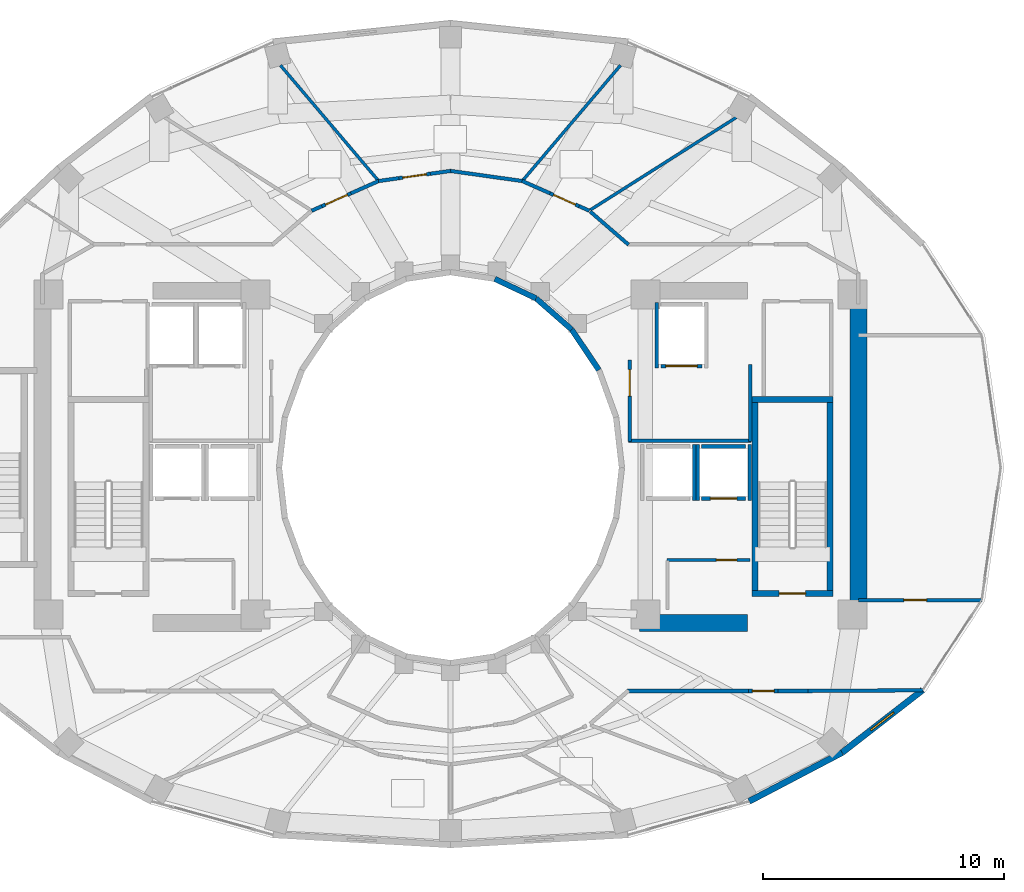
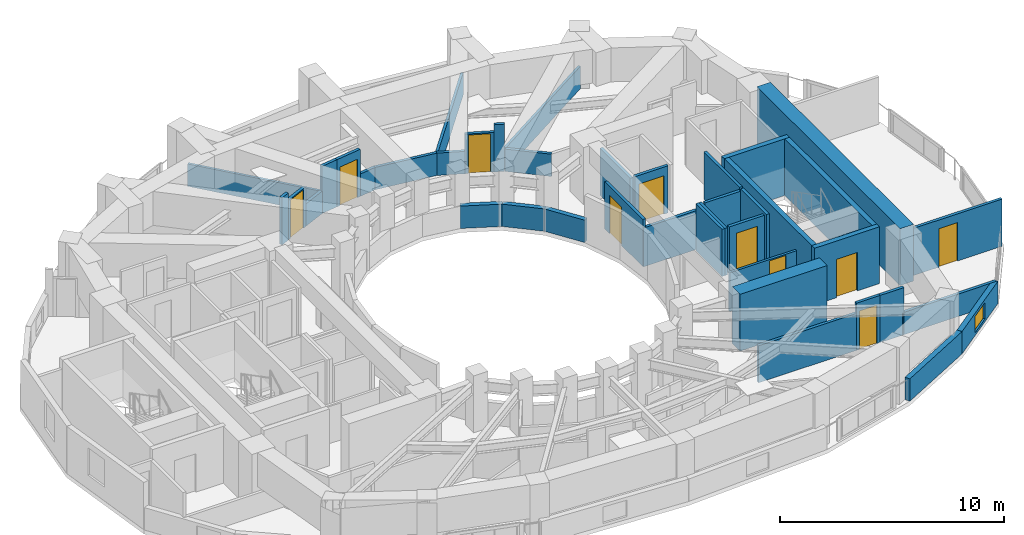
# One storey, part 16 of 20: 41 walls, 10 doors, 1 window, 11 openings.
"""IFC4 building model written with IfcOpenShell, lengths in metres."""

from ifc_helpers import new_model, si_unit, direction, frame, frame_2d, origin, place, context, subcontext, project, spatial, rectangle, extrude, material, layer, layer_set, type_object, element, fill, save


model = new_model("IFC4")

# Units and contexts
model_context = context("Model", 3, precision=1e-05, world=origin(), true_north=direction((0.0, 1.0)))
body_context = subcontext(model_context, "Body", "Model", "MODEL_VIEW")
ifc_project = project(units=[si_unit("LENGTHUNIT", "METRE"), si_unit("AREAUNIT", "SQUARE_METRE"), si_unit("VOLUMEUNIT", "CUBIC_METRE"), si_unit("PLANEANGLEUNIT", "RADIAN"), si_unit("MASSUNIT", "GRAM", prefix="KILO")], contexts=[model_context])

# Site, building, storey
site_placement = place(None, origin())
site = spatial("IfcSite", under=ifc_project, at=site_placement, CompositionType="ELEMENT")
building_placement = place(site_placement, origin())
building = spatial("IfcBuilding", under=site, at=building_placement, Name="Solvane Sanctuary Tower", CompositionType="ELEMENT")
storey_placement = place(building_placement, frame((0.0, 0.0, 159.10009765625)))
storey = spatial("IfcBuildingStorey", under=building, at=storey_placement, Name="L48", CompositionType="ELEMENT", Elevation=159.10009765625)

# Walls
ifc_material_1 = material(Name="Concrete C60/75", Category="concrete")
ifc_layer_1 = layer(ifc_material_1, 0.699951171875, Name="Concrete C60/75")
ifc_layer_set_1 = layer_set([ifc_layer_1], Name="Concrete C60/75")
wall_type_1 = type_object("IfcWallType", Name="Wall W-CORE-700", PredefinedType="SHEAR", material=ifc_layer_set_1)
wall_1_placement = place(storey_placement, frame((48.949951171875, 17.050048828125, 0.0), z_axis=(0.0, 0.0, 1.0), x_axis=(0.0, 1.0, 0.0)))
element("IfcWall", 1, at=wall_1_placement, inside=storey, type_object=wall_type_1, Name="L48 Core Shear Wall EC-E", PredefinedType="SHEAR", context=body_context, shape_type="SweptSolid", body=[
    extrude(rectangle(XDim=12.800048828125, YDim=0.699951171875, at=frame_2d((6.39990234375, 0.0))), origin(), (0.0, 0.0, 1.0), 3.099853515625),
])
wall_2_placement = place(storey_placement, frame((39.85009765625, 16.550048828125, 0.0), z_axis=(0.0, 0.0, 1.0), x_axis=(1.0, 0.0, 0.0)))
element("IfcWall", 2, at=wall_2_placement, inside=storey, type_object=wall_type_1, Name="L48 Core Shear Wall EC-S", PredefinedType="SHEAR", context=body_context, shape_type="SweptSolid", body=[
    extrude(rectangle(XDim=4.5, YDim=0.699951171875, at=frame_2d((2.25, 0.0))), origin(), (0.0, 0.0, 1.0), 3.099853515625),
])
ifc_material_2 = material(Name="Acoustic Gypsum Partition Board")
ifc_layer_2 = layer(ifc_material_2, 0.14990234375, Name="Acoustic Gypsum Partition Board")
ifc_layer_set_2 = layer_set([ifc_layer_2], Name="Acoustic Gypsum Partition Board")
wall_type_2 = type_object("IfcWallType", Name="Wall W-CORR-150", PredefinedType="PARTITIONING", material=ifc_layer_set_2)
wall_3_placement = place(storey_placement, frame((39.39990234375, 24.1201171875, 0.0), z_axis=(0.0, 0.0, 1.0), x_axis=(1.0, 0.0, 0.0)))
element("IfcWall", 3, at=wall_3_placement, inside=storey, type_object=wall_type_2, Name="L48 East Firefighting Lobby South Wall", PredefinedType="PARTITIONING", context=body_context, shape_type="SweptSolid", body=[
    extrude(rectangle(XDim=5.080078125, YDim=0.14990234375, at=frame_2d((2.5400390625, 0.0))), origin(), (0.0, 0.0, 1.0), 2.119873046875),
])
wall_4_placement = place(storey_placement, frame((44.449951171875, 24.080078125, 0.0), z_axis=(0.0, 0.0, 1.0), x_axis=(0.0, 1.0, 0.0)))
element("IfcWall", 4, at=wall_4_placement, inside=storey, type_object=wall_type_2, Name="L48 East Firefighting Lobby East Wall", PredefinedType="PARTITIONING", context=body_context, shape_type="SweptSolid", body=[
    extrude(rectangle(XDim=3.199951171875, YDim=0.14990234375, at=frame_2d((1.60009765625, 0.0))), origin(), (0.0, 0.0, 1.0), 2.574951171875),
])

# Wall, opening, door
wall_5_placement = place(storey_placement, frame((39.449951171875, 24.080078125, 0.0), z_axis=(0.0, 0.0, 1.0), x_axis=(0.0, 1.0, 0.0)))
wall_5 = element("IfcWall", 5, at=wall_5_placement, inside=storey, type_object=wall_type_2, Name="L48 East Firefighting Lobby West Wall", PredefinedType="PARTITIONING", context=body_context, shape_type="SweptSolid", body=[
    extrude(rectangle(XDim=3.39990234375, YDim=0.14990234375, at=frame_2d((1.699951171875, 0.0))), origin(), (0.0, 0.0, 1.0), 2.574951171875),
])
opening_1_placement = place(wall_5_placement, frame((1.893798828125, 0.0, 0.0)))
opening_1 = element("IfcOpeningElement", 6, at=opening_1_placement, cuts=wall_5, Name="Opening D-L48-05", PredefinedType="OPENING", context=body_context, shape_type="SweptSolid", body=[
    extrude(rectangle(XDim=1.10009765625, YDim=2.10009765625, at=frame_2d((0.550048828125, 1.050048828125))), frame((0.0, 0.0849609375, 0.0), z_axis=(0.0, -1.0, 0.0), x_axis=(1.0, 0.0, 0.0)), (0.0, 0.0, 1.0), 0.169921875),
])
ifc_material_3 = material(Name="Architectural Stainless Steel 316", Category="steel")
door_type_1 = type_object("IfcDoorType", Name="Door D-FFL", OperationType="NOTDEFINED", PredefinedType="DOOR", material=ifc_material_3)
door_1_placement = place(opening_1_placement, origin())
door_1 = element("IfcDoor", 7, at=door_1_placement, inside=storey, type_object=door_type_1, Name="L48 East Firefighting Lobby Fire Door", OperationType="SINGLE_SWING_RIGHT", OverallHeight=2.10009765625, OverallWidth=1.10009765625, PredefinedType="DOOR", context=body_context, shape_type="SweptSolid", body=[
    extrude(rectangle(XDim=1.10009765625, YDim=2.10009765625, at=frame_2d((0.550048828125, 1.050048828125))), frame((0.0, 0.02490234375, 0.0), z_axis=(0.0, -1.0, 0.0), x_axis=(1.0, 0.0, 0.0)), (0.0, 0.0, 1.0), 0.050048828125),
])
fill(opening_1, door_1)

wall_6_placement = place(storey_placement, frame((48.949951171875, 17.4970703125, 0.0), z_axis=(0.0, 0.0, 1.0), x_axis=(1.0, 0.0, 0.0)))
wall_6 = element("IfcWall", 8, at=wall_6_placement, inside=storey, type_object=wall_type_2, Name="L48 East Shoulder South Wall", PredefinedType="PARTITIONING", context=body_context, shape_type="SweptSolid", body=[
    extrude(rectangle(XDim=5.14013671875, YDim=0.14990234375, at=frame_2d((2.570068359375, 0.0))), origin(), (0.0, 0.0, 1.0), 2.574951171875),
])
opening_2_placement = place(wall_6_placement, frame((1.888671875, 0.0, 0.0)))
opening_2 = element("IfcOpeningElement", 9, at=opening_2_placement, cuts=wall_6, Name="Opening D-L48-10", PredefinedType="OPENING", context=body_context, shape_type="SweptSolid", body=[
    extrude(rectangle(XDim=0.949951171875, YDim=2.10009765625, at=frame_2d((0.47509765625, 1.050048828125))), frame((0.0, 0.0849609375, 0.0), z_axis=(0.0, -1.0, 0.0), x_axis=(1.0, 0.0, 0.0)), (0.0, 0.0, 1.0), 0.169921875),
])
ifc_material_4 = material(Name="Engineered Tropical Hardwood", Category="wood")
door_type_2 = type_object("IfcDoorType", Name="Door D-ROOM-950", OperationType="NOTDEFINED", PredefinedType="DOOR", material=ifc_material_4)
door_2_placement = place(opening_2_placement, origin())
door_2 = element("IfcDoor", 10, at=door_2_placement, inside=storey, type_object=door_type_2, Name="L48 East Shoulder South Door", OperationType="SINGLE_SWING_LEFT", OverallHeight=2.10009765625, OverallWidth=0.949951171875, PredefinedType="DOOR", context=body_context, shape_type="SweptSolid", body=[
    extrude(rectangle(XDim=0.949951171875, YDim=2.10009765625, at=frame_2d((0.47509765625, 1.050048828125))), frame((0.0, 0.02490234375, 0.0), z_axis=(0.0, -1.0, 0.0), x_axis=(1.0, 0.0, 0.0)), (0.0, 0.0, 1.0), 0.050048828125),
])
fill(opening_2, door_2)

# Walls
wall_7_placement = place(storey_placement, frame((37.806640625, 33.64208984375, 0.0), z_axis=(0.0, 0.0, 1.0), x_axis=(0.756055312247, -0.654507727092, 0.0)))
element("IfcWall", 11, at=wall_7_placement, inside=storey, type_object=wall_type_2, Name="L48 NE Corner Throat Wall", PredefinedType="PARTITIONING", context=body_context, shape_type="SweptSolid", body=[
    extrude(rectangle(XDim=2.11083984375, YDim=0.14990234375, at=frame_2d((1.055419921875, 0.0))), origin(), (0.0, 0.0, 1.0), 1.219970703125),
])
wall_8_placement = place(storey_placement, frame((39.330078125, 13.719970703125, 0.0), z_axis=(0.0, 0.0, 1.0), x_axis=(1.0, 0.0, 0.0)))
element("IfcWall", 12, at=wall_8_placement, inside=storey, type_object=wall_type_2, Name="L48 SE Corner Corridor Wall", PredefinedType="PARTITIONING", context=body_context, shape_type="SweptSolid", body=[
    extrude(rectangle(XDim=5.059814453125, YDim=0.14990234375, at=frame_2d((2.52978515625, 0.0))), origin(), (0.0, 0.0, 1.0), 2.018798828125),
])

# Wall, opening, door
wall_9_placement = place(storey_placement, frame((44.389892578125, 13.719970703125, 0.0), z_axis=(0.0, 0.0, 1.0), x_axis=(1.0, 0.0, 0.0)))
wall_9 = element("IfcWall", 13, at=wall_9_placement, inside=storey, type_object=wall_type_2, Name="L48 SE Corner Corridor Wall", PredefinedType="PARTITIONING", context=body_context, shape_type="SweptSolid", body=[
    extrude(rectangle(XDim=1.22021484375, YDim=0.14990234375, at=frame_2d((0.610107421875, 0.0))), origin(), (0.0, 0.0, 1.0), 2.574951171875),
])
opening_3_placement = place(wall_9_placement, frame((0.159912109375, 0.0, 0.0)))
opening_3 = element("IfcOpeningElement", 14, at=opening_3_placement, cuts=wall_9, Name="Opening D-L48-16", PredefinedType="OPENING", context=body_context, shape_type="SweptSolid", body=[
    extrude(rectangle(XDim=0.89990234375, YDim=2.10009765625, at=frame_2d((0.449951171875, 1.050048828125))), frame((0.0, 0.0849609375, 0.0), z_axis=(0.0, -1.0, 0.0), x_axis=(1.0, 0.0, 0.0)), (0.0, 0.0, 1.0), 0.169921875),
])
door_type_3 = type_object("IfcDoorType", Name="Door D-WET-900", OperationType="NOTDEFINED", PredefinedType="DOOR", material=ifc_material_4)
door_3_placement = place(opening_3_placement, origin())
door_3 = element("IfcDoor", 15, at=door_3_placement, inside=storey, type_object=door_type_3, Name="L48 SE Corner Salon Door", OperationType="SINGLE_SWING_LEFT", OverallHeight=2.10009765625, OverallWidth=0.89990234375, PredefinedType="DOOR", context=body_context, shape_type="SweptSolid", body=[
    extrude(rectangle(XDim=0.89990234375, YDim=2.10009765625, at=frame_2d((0.449951171875, 1.050048828125))), frame((0.0, 0.02490234375, 0.0), z_axis=(0.0, -1.0, 0.0), x_axis=(1.0, 0.0, 0.0)), (0.0, 0.0, 1.0), 0.050048828125),
])
fill(opening_3, door_3)

# Walls
wall_10_placement = place(storey_placement, frame((45.610107421875, 13.719970703125, 0.0), z_axis=(0.0, 0.0, 1.0), x_axis=(1.0, 0.0, 0.0)))
element("IfcWall", 16, at=wall_10_placement, inside=storey, type_object=wall_type_2, Name="L48 SE Corner Corridor Wall", PredefinedType="PARTITIONING", context=body_context, shape_type="SweptSolid", body=[
    extrude(rectangle(XDim=1.239990234375, YDim=0.14990234375, at=frame_2d((0.6201171875, 0.0))), origin(), (0.0, 0.0, 1.0), 2.574951171875),
])
wall_11_placement = place(storey_placement, frame((46.75, 13.7197265625, 0.0), z_axis=(0.0, 0.0, 1.0), x_axis=(0.999981712056, 0.006047772638, 0.0)))
element("IfcWall", 17, at=wall_11_placement, inside=storey, type_object=wall_type_2, Name="L48 SE Corner Wing Wall", PredefinedType="PARTITIONING", context=body_context, shape_type="SweptSolid", body=[
    extrude(rectangle(XDim=4.884521484375, YDim=0.14990234375, at=frame_2d((2.4423828125, 0.0))), origin(), (0.0, 0.0, 1.0), 1.219970703125),
])
wall_12_placement = place(storey_placement, frame((37.77197265625, 33.673828125, 0.0), z_axis=(0.0, 0.0, 1.0), x_axis=(-0.914387769504, 0.404839482983, 0.0)))
element("IfcWall", 18, at=wall_12_placement, inside=storey, type_object=wall_type_2, Name="L48 Unit Corridor Wall N1", PredefinedType="PARTITIONING", context=body_context, shape_type="SweptSolid", body=[
    extrude(rectangle(XDim=0.470947265625, YDim=0.14990234375, at=frame_2d((0.2353515625, 0.0))), origin(), (0.0, 0.0, 1.0), 2.574951171875),
])

# Wall, opening, door
wall_13_placement = place(storey_placement, frame((37.34130859375, 33.864501953125, 0.0), z_axis=(0.0, 0.0, 1.0), x_axis=(-0.914314172667, 0.405005671145, 0.0)))
wall_13 = element("IfcWall", 19, at=wall_13_placement, inside=storey, type_object=wall_type_2, Name="L48 Unit Corridor Wall N1", PredefinedType="PARTITIONING", context=body_context, shape_type="SweptSolid", body=[
    extrude(rectangle(XDim=1.320068359375, YDim=0.14990234375, at=frame_2d((0.66015625, 0.0))), origin(), (0.0, 0.0, 1.0), 2.159912109375),
])
opening_4_placement = place(wall_13_placement, frame((0.159912109375, 0.0, 0.0)))
opening_4 = element("IfcOpeningElement", 20, at=opening_4_placement, cuts=wall_13, Name="Opening D-L48-18", PredefinedType="OPENING", context=body_context, shape_type="SweptSolid", body=[
    extrude(rectangle(XDim=1.0, YDim=2.10009765625, at=frame_2d((0.5, 1.050048828125))), frame((0.0, 0.0849609375, 0.0), z_axis=(0.0, -1.0, 0.0), x_axis=(1.0, 0.0, 0.0)), (0.0, 0.0, 1.0), 0.169921875),
])
door_type_4 = type_object("IfcDoorType", Name="Door D-UNIT", OperationType="NOTDEFINED", PredefinedType="DOOR", material=ifc_material_4)
door_4_placement = place(opening_4_placement, origin())
door_4 = element("IfcDoor", 21, at=door_4_placement, inside=storey, type_object=door_type_4, Name="L48 Unit Entrance Door N1", OperationType="SINGLE_SWING_LEFT", OverallHeight=2.10009765625, OverallWidth=1.0, PredefinedType="DOOR", context=body_context, shape_type="SweptSolid", body=[
    extrude(rectangle(XDim=1.0, YDim=2.10009765625, at=frame_2d((0.5, 1.050048828125))), frame((0.0, 0.02490234375, 0.0), z_axis=(0.0, -1.0, 0.0), x_axis=(1.0, 0.0, 0.0)), (0.0, 0.0, 1.0), 0.050048828125),
])
fill(opening_4, door_4)

# Walls
wall_14_placement = place(storey_placement, frame((36.13427734375, 34.399169921875, 0.0), z_axis=(0.0, 0.0, 1.0), x_axis=(-0.914311660367, 0.405011342701, 0.0)))
element("IfcWall", 22, at=wall_14_placement, inside=storey, type_object=wall_type_2, Name="L48 Unit Corridor Wall N1", PredefinedType="PARTITIONING", context=body_context, shape_type="SweptSolid", body=[
    extrude(rectangle(XDim=1.2666015625, YDim=0.14990234375, at=frame_2d((0.63330078125, 0.0))), origin(), (0.0, 0.0, 1.0), 1.219970703125),
])
wall_15_placement = place(storey_placement, frame((34.991943359375, 34.90771484375, 0.0), z_axis=(0.0, 0.0, 1.0), x_axis=(-0.990234341072, 0.139412875167, 0.0)))
element("IfcWall", 23, at=wall_15_placement, inside=storey, type_object=wall_type_2, Name="L48 Unit Corridor Wall N2", PredefinedType="PARTITIONING", context=body_context, shape_type="SweptSolid", body=[
    extrude(rectangle(XDim=3.029541015625, YDim=0.14990234375, at=frame_2d((1.5146484375, 0.0))), origin(), (0.0, 0.0, 1.0), 1.219970703125),
])
wall_16_placement = place(storey_placement, frame((32.008056640625, 35.330078125, 0.0), z_axis=(0.0, 0.0, 1.0), x_axis=(-0.990199264419, -0.139661794145, 0.0)))
element("IfcWall", 24, at=wall_16_placement, inside=storey, type_object=wall_type_2, Name="L48 Unit Corridor Wall N2", PredefinedType="PARTITIONING", context=body_context, shape_type="SweptSolid", body=[
    extrude(rectangle(XDim=0.854736328125, YDim=0.14990234375, at=frame_2d((0.42724609375, 0.0))), origin(), (0.0, 0.0, 1.0), 1.219970703125),
])

# Wall, opening, door
wall_17_placement = place(storey_placement, frame((31.16162109375, 35.210693359375, 0.0), z_axis=(0.0, 0.0, 1.0), x_axis=(-0.990254187593, -0.139271834751, 0.0)))
wall_17 = element("IfcWall", 25, at=wall_17_placement, inside=storey, type_object=wall_type_2, Name="L48 Unit Corridor Wall N2", PredefinedType="PARTITIONING", context=body_context, shape_type="SweptSolid", body=[
    extrude(rectangle(XDim=1.320068359375, YDim=0.14990234375, at=frame_2d((0.66015625, 0.0))), origin(), (0.0, 0.0, 1.0), 2.574951171875),
])
opening_5_placement = place(wall_17_placement, frame((0.159912109375, 0.0, 0.0)))
opening_5 = element("IfcOpeningElement", 26, at=opening_5_placement, cuts=wall_17, Name="Opening D-L48-19", PredefinedType="OPENING", context=body_context, shape_type="SweptSolid", body=[
    extrude(rectangle(XDim=1.0, YDim=2.10009765625, at=frame_2d((0.5, 1.050048828125))), frame((0.0, 0.0849609375, 0.0), z_axis=(0.0, -1.0, 0.0), x_axis=(1.0, 0.0, 0.0)), (0.0, 0.0, 1.0), 0.169921875),
])
door_5_placement = place(opening_5_placement, origin())
door_5 = element("IfcDoor", 27, at=door_5_placement, inside=storey, type_object=door_type_4, Name="L48 Unit Entrance Door N2", OperationType="SINGLE_SWING_RIGHT", OverallHeight=2.10009765625, OverallWidth=1.0, PredefinedType="DOOR", context=body_context, shape_type="SweptSolid", body=[
    extrude(rectangle(XDim=1.0, YDim=2.10009765625, at=frame_2d((0.5, 1.050048828125))), frame((0.0, 0.02490234375, 0.0), z_axis=(0.0, -1.0, 0.0), x_axis=(1.0, 0.0, 0.0)), (0.0, 0.0, 1.0), 0.050048828125),
])
fill(opening_5, door_5)

# Walls
wall_18_placement = place(storey_placement, frame((29.8544921875, 35.02685546875, 0.0), z_axis=(0.0, 0.0, 1.0), x_axis=(-0.990238723834, -0.139381741342, 0.0)))
element("IfcWall", 28, at=wall_18_placement, inside=storey, type_object=wall_type_2, Name="L48 Unit Corridor Wall N2", PredefinedType="PARTITIONING", context=body_context, shape_type="SweptSolid", body=[
    extrude(rectangle(XDim=0.854736328125, YDim=0.14990234375, at=frame_2d((0.42724609375, 0.0))), origin(), (0.0, 0.0, 1.0), 2.574951171875),
])
wall_19_placement = place(storey_placement, frame((29.023681640625, 34.912109375, 0.0), z_axis=(0.0, 0.0, 1.0), x_axis=(-0.914311660367, -0.405011342701, 0.0)))
element("IfcWall", 29, at=wall_19_placement, inside=storey, type_object=wall_type_2, Name="L48 Unit Corridor Wall N3", PredefinedType="PARTITIONING", context=body_context, shape_type="SweptSolid", body=[
    extrude(rectangle(XDim=1.2666015625, YDim=0.14990234375, at=frame_2d((0.63330078125, 0.0))), origin(), (0.0, 0.0, 1.0), 1.219970703125),
])

# Wall, opening, door
wall_20_placement = place(storey_placement, frame((27.86572265625, 34.399169921875, 0.0), z_axis=(0.0, 0.0, 1.0), x_axis=(-0.914314172667, -0.405005671145, 0.0)))
wall_20 = element("IfcWall", 30, at=wall_20_placement, inside=storey, type_object=wall_type_2, Name="L48 Unit Corridor Wall N3", PredefinedType="PARTITIONING", context=body_context, shape_type="SweptSolid", body=[
    extrude(rectangle(XDim=1.320068359375, YDim=0.14990234375, at=frame_2d((0.66015625, 0.0))), origin(), (0.0, 0.0, 1.0), 2.159912109375),
])
opening_6_placement = place(wall_20_placement, frame((0.159912109375, 0.0, 0.0)))
opening_6 = element("IfcOpeningElement", 31, at=opening_6_placement, cuts=wall_20, Name="Opening D-L48-20", PredefinedType="OPENING", context=body_context, shape_type="SweptSolid", body=[
    extrude(rectangle(XDim=1.0, YDim=2.10009765625, at=frame_2d((0.5, 1.050048828125))), frame((0.0, 0.0849609375, 0.0), z_axis=(0.0, -1.0, 0.0), x_axis=(1.0, 0.0, 0.0)), (0.0, 0.0, 1.0), 0.169921875),
])
door_6_placement = place(opening_6_placement, origin())
door_6 = element("IfcDoor", 32, at=door_6_placement, inside=storey, type_object=door_type_4, Name="L48 Unit Entrance Door N3", OperationType="SINGLE_SWING_LEFT", OverallHeight=2.10009765625, OverallWidth=1.0, PredefinedType="DOOR", context=body_context, shape_type="SweptSolid", body=[
    extrude(rectangle(XDim=1.0, YDim=2.10009765625, at=frame_2d((0.5, 1.050048828125))), frame((0.0, 0.02490234375, 0.0), z_axis=(0.0, -1.0, 0.0), x_axis=(1.0, 0.0, 0.0)), (0.0, 0.0, 1.0), 0.050048828125),
])
fill(opening_6, door_6)

# Walls
wall_21_placement = place(storey_placement, frame((26.65869140625, 33.864501953125, 0.0), z_axis=(0.0, 0.0, 1.0), x_axis=(-0.914387769504, -0.404839482983, 0.0)))
element("IfcWall", 33, at=wall_21_placement, inside=storey, type_object=wall_type_2, Name="L48 Unit Corridor Wall N3", PredefinedType="PARTITIONING", context=body_context, shape_type="SweptSolid", body=[
    extrude(rectangle(XDim=0.470947265625, YDim=0.14990234375, at=frame_2d((0.2353515625, 0.0))), origin(), (0.0, 0.0, 1.0), 2.574951171875),
])
ifc_material_5 = material(Name="Precast concrete C40/50", Category="concrete")
ifc_layer_3 = layer(ifc_material_5, 0.260009765625, Name="Precast concrete C40/50")
ifc_layer_set_3 = layer_set([ifc_layer_3], Name="Precast concrete C40/50")
wall_type_3 = type_object("IfcWallType", Name="Wall W-EXT-250", PredefinedType="STANDARD", material=ifc_layer_set_3)
wall_22_placement = place(storey_placement, frame((44.4130859375, 9.13671875, 0.0), z_axis=(0.0, 0.0, 1.0), x_axis=(0.885660265226, 0.464333818065, 0.0)))
element("IfcWall", 34, at=wall_22_placement, inside=storey, type_object=wall_type_3, Name="L48 Ceramic-Printed Facade Wall 20", PredefinedType="STANDARD", context=body_context, shape_type="SweptSolid", body=[
    extrude(rectangle(XDim=4.35400390625, YDim=0.260009765625, at=frame_2d((2.177001953125, 0.0))), origin(), (0.0, 0.0, 1.0), 1.219970703125),
])

# Wall, opening, window
wall_23_placement = place(storey_placement, frame((48.269287109375, 11.158447265625, 0.0), z_axis=(0.0, 0.0, 1.0), x_axis=(0.790185650662, 0.612867552973, 0.0)))
wall_23 = element("IfcWall", 35, at=wall_23_placement, inside=storey, type_object=wall_type_3, Name="L48 Ceramic-Printed Facade Wall 21", PredefinedType="STANDARD", context=body_context, shape_type="SweptSolid", body=[
    extrude(rectangle(XDim=4.2392578125, YDim=0.260009765625, at=frame_2d((2.11962890625, 0.0))), origin(), (0.0, 0.0, 1.0), 1.219970703125),
])
opening_7_placement = place(wall_23_placement, frame((1.51953125, 0.0, 0.14990234375)))
opening_7 = element("IfcOpeningElement", 36, at=opening_7_placement, cuts=wall_23, Name="Opening WN-OPER-1200", PredefinedType="OPENING", context=body_context, shape_type="SweptSolid", body=[
    extrude(rectangle(XDim=1.199951171875, YDim=0.89990234375, at=frame_2d((0.60009765625, 0.449951171875))), frame((0.0, 0.139892578125, 0.0), z_axis=(0.0, -1.0, 0.0), x_axis=(1.0, 0.0, 0.0)), (0.0, 0.0, 1.0), 0.280029296875),
])
ifc_material_6 = material(Name="Dark Ceramic-Fritted Low-E Glass", Category="glass")
window_type = type_object("IfcWindowType", Name="Window WN-OPER-1200", PartitioningType="SINGLE_PANEL", PredefinedType="WINDOW", material=ifc_material_6)
window_placement = place(opening_7_placement, origin())
window = element("IfcWindow", 37, at=window_placement, inside=storey, type_object=window_type, Name="L48 Operable Facade Window 21", OverallHeight=0.89990234375, OverallWidth=1.199951171875, PartitioningType="SINGLE_PANEL", PredefinedType="WINDOW", context=body_context, shape_type="SweptSolid", body=[
    extrude(rectangle(XDim=1.199951171875, YDim=0.89990234375, at=frame_2d((0.60009765625, 0.449951171875))), frame((0.0, 0.030029296875, 0.0), z_axis=(0.0, -1.0, 0.0), x_axis=(1.0, 0.0, 0.0)), (0.0, 0.0, 1.0), 0.06005859375),
])
fill(opening_7, window)

# Walls
ifc_layer_4 = layer(ifc_material_5, 0.22998046875, Name="Precast concrete C40/50")
ifc_layer_set_4 = layer_set([ifc_layer_4], Name="Precast concrete C40/50")
wall_type_4 = type_object("IfcWallType", Name="Wall W-EXT-SP220", PredefinedType="STANDARD", material=ifc_layer_set_4)
wall_24_placement = place(storey_placement, frame((38.166015625, 27.06005859375, 0.0), z_axis=(0.0, 0.0, 1.0), x_axis=(-0.558197800898, 0.829707909492, 0.0)))
element("IfcWall", 38, at=wall_24_placement, inside=storey, type_object=wall_type_4, Name="L48 Central Light-Well Wall 02", PredefinedType="STANDARD", context=body_context, shape_type="SweptSolid", body=[
    extrude(rectangle(XDim=2.02685546875, YDim=0.22998046875, at=frame_2d((1.013427734375, 0.0))), origin(), (0.0, 0.0, 1.0), 1.219970703125),
])
wall_25_placement = place(storey_placement, frame((37.03466796875, 28.74169921875, 0.0), z_axis=(0.0, 0.0, 1.0), x_axis=(-0.752576694707, 0.658504607869, 0.0)))
element("IfcWall", 39, at=wall_25_placement, inside=storey, type_object=wall_type_4, Name="L48 Central Light-Well Wall 03", PredefinedType="STANDARD", context=body_context, shape_type="SweptSolid", body=[
    extrude(rectangle(XDim=1.95947265625, YDim=0.22998046875, at=frame_2d((0.979736328125, 0.0))), origin(), (0.0, 0.0, 1.0), 1.219970703125),
])
wall_26_placement = place(storey_placement, frame((35.56005859375, 30.031982421875, 0.0), z_axis=(0.0, 0.0, 1.0), x_axis=(-0.904179699603, 0.427152280606, 0.0)))
element("IfcWall", 40, at=wall_26_placement, inside=storey, type_object=wall_type_4, Name="L48 Central Light-Well Wall 04", PredefinedType="STANDARD", context=body_context, shape_type="SweptSolid", body=[
    extrude(rectangle(XDim=1.899169921875, YDim=0.22998046875, at=frame_2d((0.94970703125, 0.0))), origin(), (0.0, 0.0, 1.0), 1.219970703125),
])

# Wall, opening, door
ifc_layer_5 = layer(ifc_material_2, 0.125, Name="Acoustic Gypsum Partition Board")
ifc_layer_set_5 = layer_set([ifc_layer_5], Name="Acoustic Gypsum Partition Board")
wall_type_5 = type_object("IfcWallType", Name="Wall W-PART-125", PredefinedType="PARTITIONING", material=ifc_layer_set_5)
wall_27_placement = place(storey_placement, frame((41.0, 19.159912109375, 0.0), z_axis=(0.0, 0.0, 1.0), x_axis=(1.0, 0.0, 0.0)))
wall_27 = element("IfcWall", 41, at=wall_27_placement, inside=storey, type_object=wall_type_5, Name="L48 Reclaimed Room Partition PLE", PredefinedType="PARTITIONING", context=body_context, shape_type="SweptSolid", body=[
    extrude(rectangle(XDim=3.449951171875, YDim=0.125, at=frame_2d((1.72509765625, 0.0))), origin(), (0.0, 0.0, 1.0), 2.119873046875),
])
opening_8_placement = place(wall_27_placement, frame((2.050048828125, 0.0, 0.0)))
opening_8 = element("IfcOpeningElement", 42, at=opening_8_placement, cuts=wall_27, Name="Opening D-L48-07", PredefinedType="OPENING", context=body_context, shape_type="SweptSolid", body=[
    extrude(rectangle(XDim=0.85009765625, YDim=2.050048828125, at=frame_2d((0.425048828125, 1.02490234375))), frame((0.0, 0.072509765625, 0.0), z_axis=(0.0, -1.0, 0.0), x_axis=(1.0, 0.0, 0.0)), (0.0, 0.0, 1.0), 0.14501953125),
])
door_type_5 = type_object("IfcDoorType", Name="Door D-RISER", OperationType="NOTDEFINED", PredefinedType="DOOR", material=ifc_material_3)
door_7_placement = place(opening_8_placement, origin())
door_7 = element("IfcDoor", 43, at=door_7_placement, inside=storey, type_object=door_type_5, Name="L48 Reclaimed Room Door PLE-1", OperationType="SINGLE_SWING_RIGHT", OverallHeight=2.050048828125, OverallWidth=0.85009765625, PredefinedType="DOOR", context=body_context, shape_type="SweptSolid", body=[
    extrude(rectangle(XDim=0.85009765625, YDim=2.050048828125, at=frame_2d((0.425048828125, 1.02490234375))), frame((0.0, 0.02490234375, 0.0), z_axis=(0.0, -1.0, 0.0), x_axis=(1.0, 0.0, 0.0)), (0.0, 0.0, 1.0), 0.050048828125),
])
fill(opening_8, door_7)

# Walls
wall_28_placement = place(storey_placement, frame((37.8115234375, 33.70751953125, 0.0), z_axis=(0.0, 0.0, 1.0), x_axis=(0.844640430122, 0.535334048799, 0.0)))
element("IfcWall", 44, at=wall_28_placement, inside=storey, type_object=wall_type_5, Name="L48 Radial Compartment Wall 060", PredefinedType="PARTITIONING", context=body_context, shape_type="SweptSolid", body=[
    extrude(rectangle(XDim=7.188232421875, YDim=0.125, at=frame_2d((3.59423828125, 0.0))), origin(), (0.0, 0.0, 1.0), 1.219970703125),
])
for number, where, z_axis, x_axis, name in (
    (45, (35.019775390625, 34.951904296875, 0.0), (0.0, 0.0, 1.0), (0.647173462792, 0.762342776615, 0.0), "L48 Radial Compartment Wall 075"),
    (46, (28.980224609375, 34.951904296875, 0.0), (0.0, 0.0, 1.0), (-0.647173462792, 0.762342776615, 0.0), "L48 Radial Compartment Wall 105"),
):
    element("IfcWall", number, at=place(storey_placement, frame(where, z_axis=z_axis, x_axis=x_axis)), inside=storey, type_object=wall_type_5, Name=name, PredefinedType="PARTITIONING", context=body_context, shape_type="SweptSolid", body=[
        extrude(rectangle(XDim=6.25341796875, YDim=0.125, at=frame_2d((3.126708984375, 0.0))), origin(), (0.0, 0.0, 1.0), 1.219970703125),
    ])

# Wall, opening, door
ifc_material_7 = material(Name="Concrete C50/60", Category="concrete")
ifc_layer_6 = layer(ifc_material_7, 0.14990234375, Name="Concrete C50/60")
ifc_layer_set_6 = layer_set([ifc_layer_6], Name="Concrete C50/60")
wall_type_6 = type_object("IfcWallType", Name="Wall W-SHAFT-150", PredefinedType="SOLIDWALL", material=ifc_layer_set_6)
wall_29_placement = place(storey_placement, frame((42.43994140625, 21.719970703125, 0.0), z_axis=(0.0, 0.0, 1.0), x_axis=(1.0, 0.0, 0.0)))
wall_29 = element("IfcWall", 47, at=wall_29_placement, inside=storey, type_object=wall_type_6, Name="L48 PM-2 Lift Shaft Wall F", PredefinedType="SOLIDWALL", context=body_context, shape_type="SweptSolid", body=[
    extrude(rectangle(XDim=1.820068359375, YDim=0.14990234375, at=frame_2d((0.91015625, 0.0))), origin(), (0.0, 0.0, 1.0), 2.574951171875),
])
opening_9_placement = place(wall_29_placement, frame((0.360107421875, 0.0, 0.0)))
opening_9 = element("IfcOpeningElement", 48, at=opening_9_placement, cuts=wall_29, Name="Opening LD-L48-02", PredefinedType="OPENING", context=body_context, shape_type="SweptSolid", body=[
    extrude(rectangle(XDim=1.10009765625, YDim=2.10009765625, at=frame_2d((0.550048828125, 1.050048828125))), frame((0.0, 0.0849609375, 0.0), z_axis=(0.0, -1.0, 0.0), x_axis=(1.0, 0.0, 0.0)), (0.0, 0.0, 1.0), 0.169921875),
])
door_type_6 = type_object("IfcDoorType", Name="Door LD-PASS-1100", OperationType="NOTDEFINED", PredefinedType="DOOR", material=ifc_material_3)
door_8_placement = place(opening_9_placement, origin())
door_8 = element("IfcDoor", 49, at=door_8_placement, inside=storey, type_object=door_type_6, Name="L48 PM-2 Lift Landing Door", OperationType="DOUBLE_DOOR_SLIDING", OverallHeight=2.10009765625, OverallWidth=1.10009765625, PredefinedType="DOOR", context=body_context, shape_type="SweptSolid", body=[
    extrude(rectangle(XDim=1.10009765625, YDim=2.10009765625, at=frame_2d((0.550048828125, 1.050048828125))), frame((0.0, 0.02490234375, 0.0), z_axis=(0.0, -1.0, 0.0), x_axis=(1.0, 0.0, 0.0)), (0.0, 0.0, 1.0), 0.050048828125),
])
fill(opening_9, door_8)

# Walls
wall_30_placement = place(storey_placement, frame((42.43994140625, 23.8798828125, 0.0), z_axis=(0.0, 0.0, 1.0), x_axis=(1.0, 0.0, 0.0)))
element("IfcWall", 50, at=wall_30_placement, inside=storey, type_object=wall_type_6, Name="L48 PM-2 Lift Shaft Wall B", PredefinedType="SOLIDWALL", context=body_context, shape_type="SweptSolid", body=[
    extrude(rectangle(XDim=1.820068359375, YDim=0.14990234375, at=frame_2d((0.91015625, 0.0))), origin(), (0.0, 0.0, 1.0), 2.574951171875),
])
for number, where, z_axis, x_axis, name in (
    (51, (42.27001953125, 21.639892578125, 0.0), (0.0, 0.0, 1.0), (0.0, 1.0, 0.0), "L48 PM-2 Lift Shaft Wall S1"),
    (52, (44.429931640625, 21.639892578125, 0.0), (0.0, 0.0, 1.0), (0.0, 1.0, 0.0), "L48 PM-2 Lift Shaft Wall S2"),
    (53, (42.1298828125, 21.639892578125, 0.0), (0.0, 0.0, 1.0), (0.0, 1.0, 0.0), "L48 PH-2 Lift Shaft Wall S2"),
):
    element("IfcWall", number, at=place(storey_placement, frame(where, z_axis=z_axis, x_axis=x_axis)), inside=storey, type_object=wall_type_6, Name=name, PredefinedType="SOLIDWALL", context=body_context, shape_type="SweptSolid", body=[
        extrude(rectangle(XDim=2.320068359375, YDim=0.14990234375, at=frame_2d((1.16015625, 0.0))), origin(), (0.0, 0.0, 1.0), 2.574951171875),
    ])

# Wall, opening, door
wall_31_placement = place(storey_placement, frame((40.739990234375, 27.219970703125, 0.0), z_axis=(0.0, 0.0, 1.0), x_axis=(1.0, 0.0, 0.0)))
wall_31 = element("IfcWall", 54, at=wall_31_placement, inside=storey, type_object=wall_type_6, Name="L48 FFL-2 Lift Shaft Wall F", PredefinedType="SOLIDWALL", context=body_context, shape_type="SweptSolid", body=[
    extrude(rectangle(XDim=1.719970703125, YDim=0.14990234375, at=frame_2d((0.85986328125, 0.0))), origin(), (0.0, 0.0, 1.0), 2.574951171875),
])
opening_10_placement = place(wall_31_placement, frame((0.2099609375, 0.0, 0.0)))
opening_10 = element("IfcOpeningElement", 55, at=opening_10_placement, cuts=wall_31, Name="Opening LD-L48-05", PredefinedType="OPENING", context=body_context, shape_type="SweptSolid", body=[
    extrude(rectangle(XDim=1.300048828125, YDim=2.10009765625, at=frame_2d((0.64990234375, 1.050048828125))), frame((0.0, 0.0849609375, 0.0), z_axis=(0.0, -1.0, 0.0), x_axis=(1.0, 0.0, 0.0)), (0.0, 0.0, 1.0), 0.169921875),
])
door_type_7 = type_object("IfcDoorType", Name="Door LD-FFL-1300", OperationType="NOTDEFINED", PredefinedType="DOOR", material=ifc_material_3)
door_9_placement = place(opening_10_placement, origin())
door_9 = element("IfcDoor", 56, at=door_9_placement, inside=storey, type_object=door_type_7, Name="L48 FFL-2 Lift Landing Door", OperationType="DOUBLE_DOOR_SLIDING", OverallHeight=2.10009765625, OverallWidth=1.300048828125, PredefinedType="DOOR", context=body_context, shape_type="SweptSolid", body=[
    extrude(rectangle(XDim=1.300048828125, YDim=2.10009765625, at=frame_2d((0.64990234375, 1.050048828125))), frame((0.0, 0.02490234375, 0.0), z_axis=(0.0, -1.0, 0.0), x_axis=(1.0, 0.0, 0.0)), (0.0, 0.0, 1.0), 0.050048828125),
])
fill(opening_10, door_9)

# Wall
wall_32_placement = place(storey_placement, frame((40.570068359375, 27.139892578125, 0.0), z_axis=(0.0, 0.0, 1.0), x_axis=(0.0, 1.0, 0.0)))
element("IfcWall", 57, at=wall_32_placement, inside=storey, type_object=wall_type_6, Name="L48 FFL-2 Lift Shaft Wall S1", PredefinedType="SOLIDWALL", context=body_context, shape_type="SweptSolid", body=[
    extrude(rectangle(XDim=2.72021484375, YDim=0.14990234375, at=frame_2d((1.360107421875, 0.0))), origin(), (0.0, 0.0, 1.0), 2.574951171875),
])

# Wall, opening, door
ifc_layer_7 = layer(ifc_material_7, 0.25, Name="Concrete C50/60")
ifc_layer_set_7 = layer_set([ifc_layer_7], Name="Concrete C50/60")
wall_type_7 = type_object("IfcWallType", Name="Wall W-SHAFT-250", PredefinedType="SOLIDWALL", material=ifc_layer_set_7)
wall_33_placement = place(storey_placement, frame((44.52490234375, 17.77001953125, 0.0), z_axis=(0.0, 0.0, 1.0), x_axis=(1.0, 0.0, 0.0)))
wall_33 = element("IfcWall", 58, at=wall_33_placement, inside=storey, type_object=wall_type_7, Name="L48 ST-2 Load-Bearing Shaft Wall S", PredefinedType="SOLIDWALL", context=body_context, shape_type="SweptSolid", body=[
    extrude(rectangle(XDim=3.3701171875, YDim=0.25, at=frame_2d((1.68505859375, 0.0))), origin(), (0.0, 0.0, 1.0), 3.099853515625),
])
opening_11_placement = place(wall_33_placement, frame((1.135009765625, 0.0, 0.0)))
opening_11 = element("IfcOpeningElement", 59, at=opening_11_placement, cuts=wall_33, Name="Opening D-L48-02", PredefinedType="OPENING", context=body_context, shape_type="SweptSolid", body=[
    extrude(rectangle(XDim=1.10009765625, YDim=2.10009765625, at=frame_2d((0.550048828125, 1.050048828125))), frame((0.0, 0.135009765625, 0.0), z_axis=(0.0, -1.0, 0.0), x_axis=(1.0, 0.0, 0.0)), (0.0, 0.0, 1.0), 0.27001953125),
])
door_type_8 = type_object("IfcDoorType", Name="Door D-STAIR", OperationType="NOTDEFINED", PredefinedType="DOOR", material=ifc_material_3)
door_10_placement = place(opening_11_placement, origin())
door_10 = element("IfcDoor", 60, at=door_10_placement, inside=storey, type_object=door_type_8, Name="L48 ST-2 Exit Stair Fire Door", OperationType="SINGLE_SWING_LEFT", OverallHeight=2.10009765625, OverallWidth=1.10009765625, PredefinedType="DOOR", context=body_context, shape_type="SweptSolid", body=[
    extrude(rectangle(XDim=1.10009765625, YDim=2.10009765625, at=frame_2d((0.550048828125, 1.050048828125))), frame((0.0, 0.02490234375, 0.0), z_axis=(0.0, -1.0, 0.0), x_axis=(1.0, 0.0, 0.0)), (0.0, 0.0, 1.0), 0.050048828125),
])
fill(opening_11, door_10)

# Walls
wall_34_placement = place(storey_placement, frame((44.52490234375, 25.830078125, 0.0), z_axis=(0.0, 0.0, 1.0), x_axis=(1.0, 0.0, 0.0)))
element("IfcWall", 61, at=wall_34_placement, inside=storey, type_object=wall_type_7, Name="L48 ST-2 Load-Bearing Shaft Wall N", PredefinedType="SOLIDWALL", context=body_context, shape_type="SweptSolid", body=[
    extrude(rectangle(XDim=3.3701171875, YDim=0.25, at=frame_2d((1.68505859375, 0.0))), origin(), (0.0, 0.0, 1.0), 3.099853515625),
])
for number, where, z_axis, x_axis, name in (
    (62, (44.64990234375, 17.89501953125, 0.0), (0.0, 0.0, 1.0), (0.0, 1.0, 0.0), "L48 ST-2 Load-Bearing Shaft Wall W"),
    (63, (47.77001953125, 17.89501953125, 0.0), (0.0, 0.0, 1.0), (0.0, 1.0, 0.0), "L48 ST-2 Load-Bearing Shaft Wall E"),
):
    element("IfcWall", number, at=place(storey_placement, frame(where, z_axis=z_axis, x_axis=x_axis)), inside=storey, type_object=wall_type_7, Name=name, PredefinedType="SOLIDWALL", context=body_context, shape_type="SweptSolid", body=[
        extrude(rectangle(XDim=7.81005859375, YDim=0.25, at=frame_2d((3.905029296875, 0.0))), origin(), (0.0, 0.0, 1.0), 3.099853515625),
    ])

save(model, "model.ifc")
